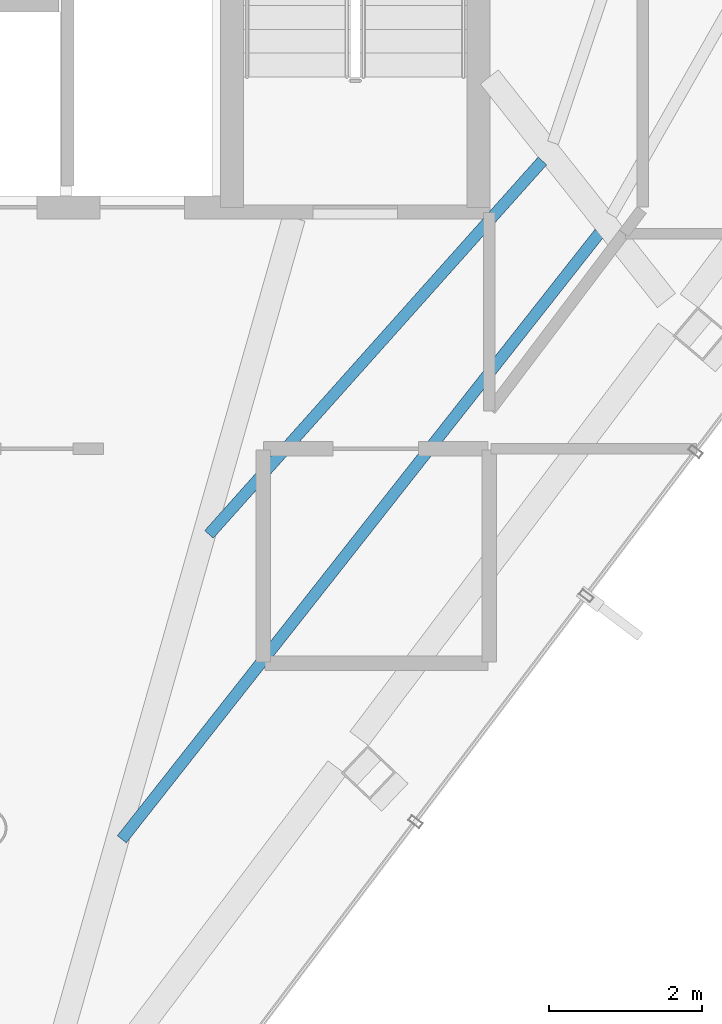
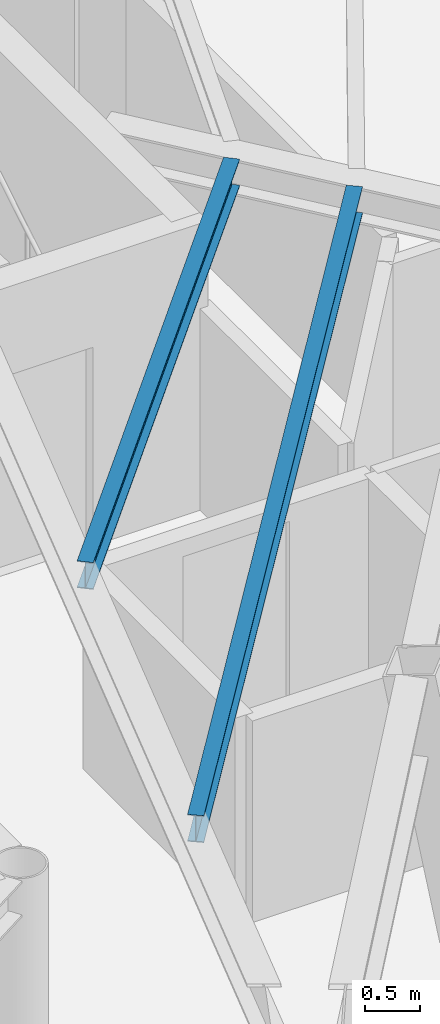
# One storey, part 8 of 25: 2 beams.
"""IFC4 building model written with IfcOpenShell, lengths in metres."""

from ifc_helpers import new_model, si_unit, direction, frame, origin, origin_2d, place, context, subcontext, project, spatial, i_section, extrude, material, material_profile, profile_set, type_object, element, save


model = new_model("IFC4")

# Units and contexts
model_context = context("Model", 3, precision=1e-05, world=origin(), true_north=direction((0.0, 1.0)))
body_context = subcontext(model_context, "Body", "Model", "MODEL_VIEW")
ifc_project = project(units=[si_unit("LENGTHUNIT", "METRE"), si_unit("AREAUNIT", "SQUARE_METRE"), si_unit("VOLUMEUNIT", "CUBIC_METRE"), si_unit("PLANEANGLEUNIT", "RADIAN"), si_unit("MASSUNIT", "GRAM", prefix="KILO")], contexts=[model_context])

# Site, building, storey
site_placement = place(None, origin())
site = spatial("IfcSite", under=ifc_project, at=site_placement, CompositionType="ELEMENT")
building_placement = place(site_placement, origin())
building = spatial("IfcBuilding", under=site, at=building_placement, Name="Zarrinselat Tower", CompositionType="ELEMENT")
storey_placement = place(building_placement, frame((0.0, 0.0, 275.39990234375)))
storey = spatial("IfcBuildingStorey", under=building, at=storey_placement, Name="L70", CompositionType="ELEMENT", Elevation=275.39990234375)

# Beams
ifc_material = material(Name="Steel S355J2", Category="steel")
ifc_material_profile = material_profile(ifc_material, i_section(OverallWidth=0.14990234375, OverallDepth=0.300048828125, WebThickness=0.007080078125, FlangeThickness=0.0107421875, at=origin_2d()), Name="IPE 300")
ifc_profile_set = profile_set([ifc_material_profile], Name="Steel S355J2")
beam_type = type_object("IfcBeamType", Name="BM-IPE300", PredefinedType="JOIST", material=ifc_profile_set)
beam_1_placement = place(storey_placement, frame((43.555419921875, 25.053955078125, 3.030029296875), z_axis=(0.618827357241, 0.785527021769, 0.0), x_axis=(-0.785527021769, 0.618827357241, 0.0)))
element("IfcBeam", 1, at=beam_1_placement, inside=storey, type_object=beam_type, Name="L70 Composite Floor Joist 2-1", PredefinedType="JOIST", context=body_context, shape_type="SweptSolid", body=[
    extrude(i_section(OverallWidth=0.14990234375, OverallDepth=0.300048828125, WebThickness=0.007080078125, FlangeThickness=0.0107421875, at=origin_2d()), origin(), (0.0, 0.0, 1.0), 10.07177734375),
])
beam_2_placement = place(storey_placement, frame((44.6923828125, 29.031982421875, 3.030029296875), z_axis=(0.665997941367, 0.745953579049, 0.0), x_axis=(-0.745953579049, 0.665997941367, 0.0)))
element("IfcBeam", 2, at=beam_2_placement, inside=storey, type_object=beam_type, Name="L70 Composite Floor Joist 2-2", PredefinedType="JOIST", context=body_context, shape_type="SweptSolid", body=[
    extrude(i_section(OverallWidth=0.14990234375, OverallDepth=0.300048828125, WebThickness=0.007080078125, FlangeThickness=0.0107421875, at=origin_2d()), origin(), (0.0, 0.0, 1.0), 6.53125),
])

save(model, "model.ifc")
